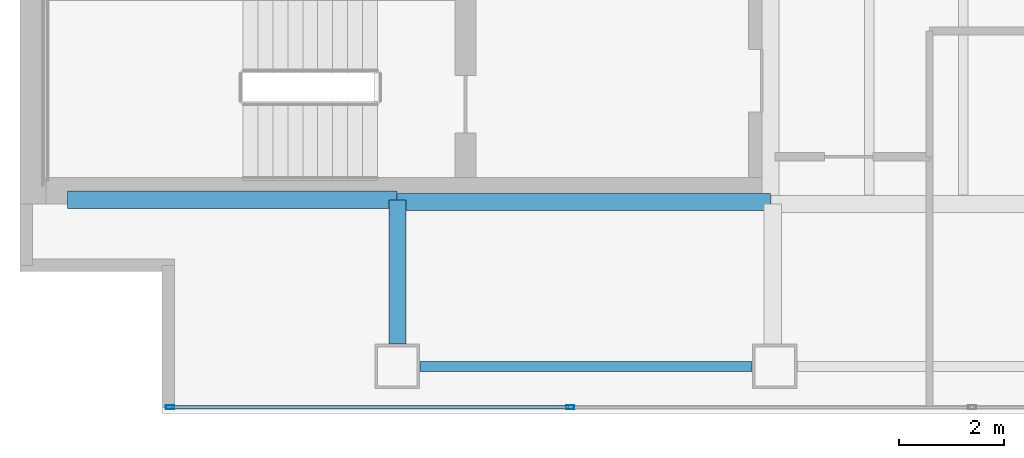
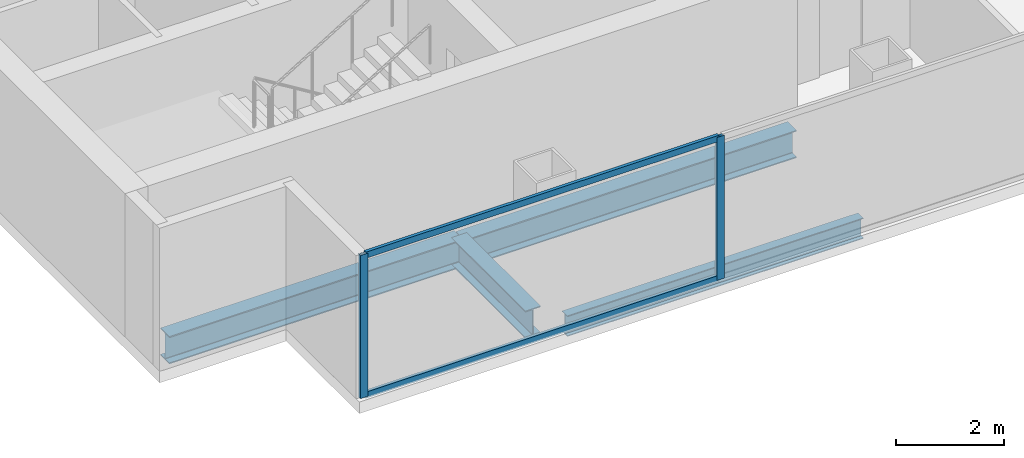
# One storey, part 2 of 23: 4 beams, 4 members, 1 element without a shape of its own.
"""IFC4 building model written with IfcOpenShell, lengths in metres."""

from ifc_helpers import new_model, si_unit, direction, frame, origin, origin_2d, place, context, subcontext, project, spatial, hollow_rectangle, i_section, extrude, material, material_profile, profile_set, type_object, element, aggregate, save


model = new_model("IFC4")

# Units and contexts
model_context = context("Model", 3, precision=1e-05, world=origin(), true_north=direction((0.0, 1.0)))
body_context = subcontext(model_context, "Body", "Model", "MODEL_VIEW")
ifc_project = project(units=[si_unit("LENGTHUNIT", "METRE"), si_unit("AREAUNIT", "SQUARE_METRE"), si_unit("VOLUMEUNIT", "CUBIC_METRE"), si_unit("PLANEANGLEUNIT", "RADIAN"), si_unit("MASSUNIT", "GRAM", prefix="KILO")], contexts=[model_context])

# Site, building, storey
site_placement = place(None, origin())
site = spatial("IfcSite", under=ifc_project, at=site_placement, CompositionType="ELEMENT")
building_placement = place(site_placement, origin())
building = spatial("IfcBuilding", under=site, at=building_placement, Name="Cobrela Telecom Tower", CompositionType="ELEMENT")
storey_placement = place(building_placement, frame((0.0, 0.0, 173.25)))
storey = spatial("IfcBuildingStorey", under=building, at=storey_placement, Name="L43", CompositionType="ELEMENT", Elevation=173.25)

# Beams
ifc_material_1 = material(Name="Steel ASTM A992 Grade 50", Category="steel")
ifc_material_profile_1 = material_profile(ifc_material_1, i_section(OverallWidth=0.327880859375, OverallDepth=0.6220703125, WebThickness=0.015380859375, FlangeThickness=0.0244140625, FilletRadius=0.014892578125, at=origin_2d()), Name="W24X131")
ifc_profile_set_1 = profile_set([ifc_material_profile_1], Name="Steel ASTM A992 Grade 50")
beam_type_1 = type_object("IfcBeamType", Name="BM-GIRD-06", PredefinedType="USERDEFINED", material=ifc_profile_set_1)
beam_1_placement = place(storey_placement, frame((0.905029296875, 7.280029296875, -0.571044921875), z_axis=(1.0, 0.0, 0.0), x_axis=(0.0, 1.0, 0.0)))
element("IfcBeam", 1, at=beam_1_placement, inside=storey, type_object=beam_type_1, Name="L43 Primary Girder X05", ObjectType="GIRDER", PredefinedType="USERDEFINED", context=body_context, shape_type="SweptSolid", body=[
    extrude(i_section(OverallWidth=0.327880859375, OverallDepth=0.6220703125, WebThickness=0.015380859375, FlangeThickness=0.0244140625, FilletRadius=0.014892578125, at=origin_2d()), origin(), (0.0, 0.0, 1.0), 6.2900390625),
])
beam_2_placement = place(storey_placement, frame((7.205078125, 7.239990234375, -0.571044921875), z_axis=(1.0, 0.0, 0.0), x_axis=(0.0, 1.0, 0.0)))
element("IfcBeam", 2, at=beam_2_placement, inside=storey, type_object=beam_type_1, Name="L43 Primary Girder X06", ObjectType="GIRDER", PredefinedType="USERDEFINED", context=body_context, shape_type="SweptSolid", body=[
    extrude(i_section(OverallWidth=0.327880859375, OverallDepth=0.6220703125, WebThickness=0.015380859375, FlangeThickness=0.0244140625, FilletRadius=0.014892578125, at=origin_2d()), origin(), (0.0, 0.0, 1.0), 7.10986328125),
])
beam_3_placement = place(storey_placement, frame((7.199951171875, 4.530029296875, -0.571044921875), z_axis=(0.0, 1.0, 0.0), x_axis=(-1.0, 0.0, 0.0)))
element("IfcBeam", 3, at=beam_3_placement, inside=storey, type_object=beam_type_1, Name="L43 Primary Girder Y24", ObjectType="GIRDER", PredefinedType="USERDEFINED", context=body_context, shape_type="SweptSolid", body=[
    extrude(i_section(OverallWidth=0.327880859375, OverallDepth=0.6220703125, WebThickness=0.015380859375, FlangeThickness=0.0244140625, FilletRadius=0.014892578125, at=origin_2d()), origin(), (0.0, 0.0, 1.0), 2.744873046875),
])
ifc_material_profile_2 = material_profile(ifc_material_1, i_section(OverallWidth=0.193115234375, OverallDepth=0.467041015625, WebThickness=0.011474609375, FlangeThickness=0.01904296875, FilletRadius=0.012939453125, at=origin_2d()), Name="W18X65")
ifc_profile_set_2 = profile_set([ifc_material_profile_2], Name="Steel ASTM A992 Grade 50")
beam_type_2 = type_object("IfcBeamType", Name="BM-SPAND-05", PredefinedType="SPANDREL", material=ifc_profile_set_2)
beam_4_placement = place(storey_placement, frame((7.6298828125, 4.10009765625, -0.493408203125), z_axis=(1.0, 0.0, 0.0), x_axis=(0.0, 1.0, 0.0)))
element("IfcBeam", 4, at=beam_4_placement, inside=storey, type_object=beam_type_2, Name="L43 Perimeter Spandrel X01", PredefinedType="SPANDREL", context=body_context, shape_type="SweptSolid", body=[
    extrude(i_section(OverallWidth=0.193115234375, OverallDepth=0.467041015625, WebThickness=0.011474609375, FlangeThickness=0.01904296875, FilletRadius=0.012939453125, at=origin_2d()), origin(), (0.0, 0.0, 1.0), 6.340087890625),
])

# Curtain wall, members
ifc_material_2 = material(Name="Anodized Bronze Aluminium 6063-T6", Category="aluminium")
curtain_wall_type = type_object("IfcCurtainWallType", Name="CW-SYS-OFF-LO", PredefinedType="USERDEFINED", material=ifc_material_2)
curtain_wall_placement = place(storey_placement, origin())
curtain_wall = element("IfcCurtainWall", 5, at=curtain_wall_placement, inside=storey, type_object=curtain_wall_type, Name="L43 Unitised Bronze Curtain Wall 17", ObjectType="UNITISED CURTAIN WALL", PredefinedType="USERDEFINED")
ifc_material_profile_3 = material_profile(ifc_material_2, hollow_rectangle(XDim=0.070068359375, YDim=0.159912109375, WallThickness=0.00390625, at=origin_2d()), Name="ALU 70x160x4")
ifc_profile_set_3 = profile_set([ifc_material_profile_3], Name="Anodized Bronze Aluminium 6063-T6")
member_type_1 = type_object("IfcMemberType", Name="CW-SYS-OFF-LO-MUL", PredefinedType="MULLION", material=ifc_profile_set_3)
member_1_placement = place(storey_placement, frame((10.498046875, 3.320068359375, 0.0), z_axis=(0.0, 0.0, 1.0), x_axis=(0.0, -1.0, 0.0)))
member_1 = element("IfcMember", 6, at=member_1_placement, type_object=member_type_1, Name="CW-OFF-LO mullion 5", PredefinedType="MULLION", context=body_context, shape_type="SweptSolid", body=[
    extrude(hollow_rectangle(XDim=0.070068359375, YDim=0.159912109375, WallThickness=0.00390625, at=origin_2d()), origin(), (0.0, 0.0, 1.0), 3.239990234375),
])
member_2_placement = place(storey_placement, frame((2.864990234375, 3.320068359375, 0.0), z_axis=(0.0, 0.0, 1.0), x_axis=(0.0, -1.0, 0.0)))
member_2 = element("IfcMember", 7, at=member_2_placement, type_object=member_type_1, Name="CW-OFF-LO mullion 6", PredefinedType="MULLION", context=body_context, shape_type="SweptSolid", body=[
    extrude(hollow_rectangle(XDim=0.070068359375, YDim=0.159912109375, WallThickness=0.00390625, at=origin_2d()), origin(), (0.0, 0.0, 1.0), 3.239990234375),
])
ifc_material_profile_4 = material_profile(ifc_material_2, hollow_rectangle(XDim=0.070068359375, YDim=0.139892578125, WallThickness=0.00390625, at=origin_2d()), Name="ALU 70x140x4")
ifc_profile_set_4 = profile_set([ifc_material_profile_4], Name="Anodized Bronze Aluminium 6063-T6")
member_type_2 = type_object("IfcMemberType", Name="CW-SYS-OFF-LO-TRN", PredefinedType="USERDEFINED", material=ifc_profile_set_4)
member_3_placement = place(storey_placement, frame((10.462890625, 3.320068359375, 0.034912109375), z_axis=(-1.0, 0.0, 0.0), x_axis=(0.0, -1.0, 0.0)))
member_3 = element("IfcMember", 8, at=member_3_placement, type_object=member_type_2, Name="CW-OFF-LO transom 5.1", ObjectType="TRANSOM", PredefinedType="USERDEFINED", context=body_context, shape_type="SweptSolid", body=[
    extrude(hollow_rectangle(XDim=0.070068359375, YDim=0.139892578125, WallThickness=0.00390625, at=origin_2d()), origin(), (0.0, 0.0, 1.0), 7.56298828125),
])
member_4_placement = place(storey_placement, frame((10.462890625, 3.320068359375, 3.205078125), z_axis=(-1.0, 0.0, 0.0), x_axis=(0.0, -1.0, 0.0)))
member_4 = element("IfcMember", 9, at=member_4_placement, type_object=member_type_2, Name="CW-OFF-LO transom 5.2", ObjectType="TRANSOM", PredefinedType="USERDEFINED", context=body_context, shape_type="SweptSolid", body=[
    extrude(hollow_rectangle(XDim=0.070068359375, YDim=0.139892578125, WallThickness=0.00390625, at=origin_2d()), origin(), (0.0, 0.0, 1.0), 7.56298828125),
])
aggregate(curtain_wall, [member_1, member_2, member_3, member_4])

save(model, "model.ifc")
